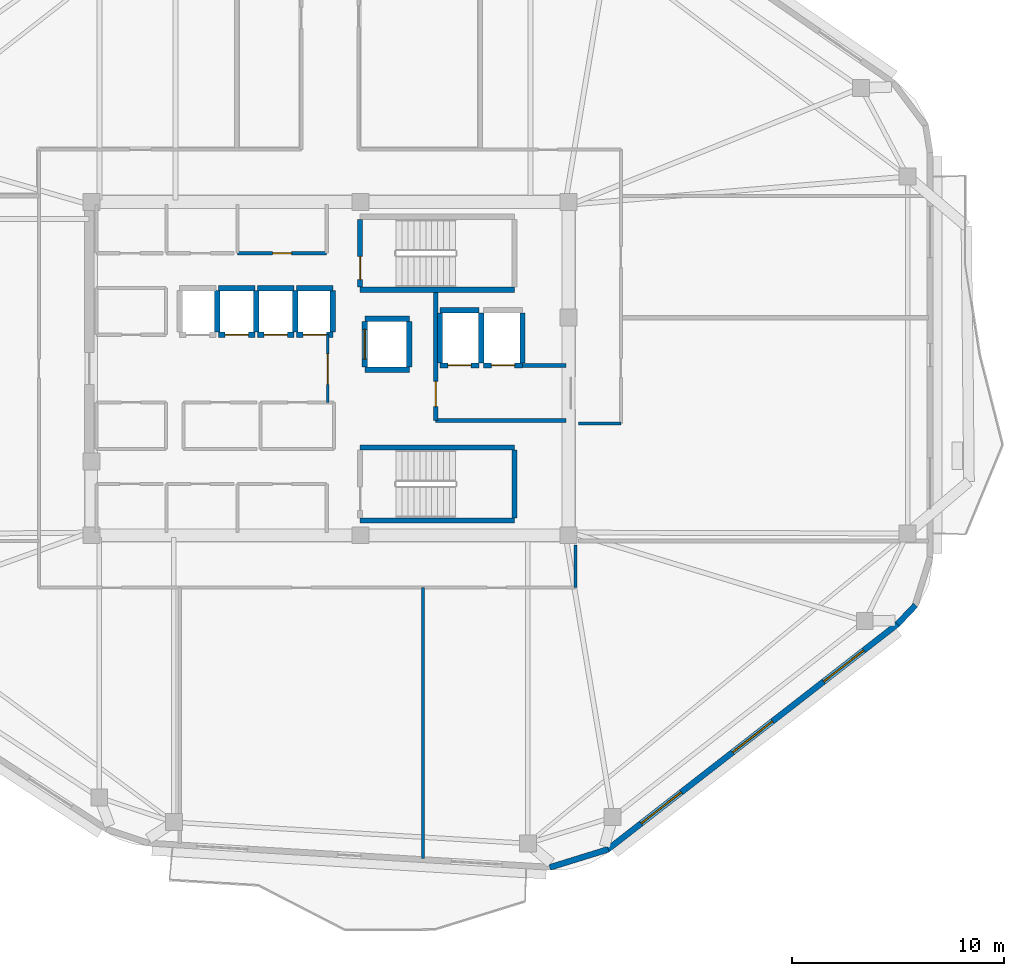
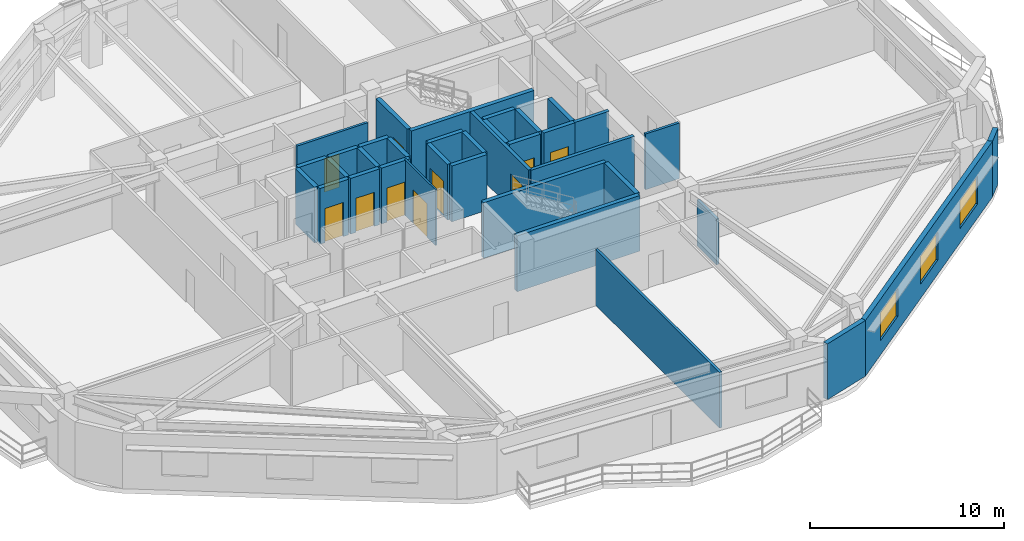
# One storey, part 7 of 12: 36 walls, 10 doors, 3 windows, 13 openings.
"""IFC4 building model written with IfcOpenShell, lengths in metres."""

import ifcopenshell
import ifcopenshell.guid

model = None  # the IFC model being written
_history = None  # IfcOwnerHistory: only IFC2X3 demands one
_inside = {}  # id of a spatial element -> (the spatial element, [elements in it])
_under = {}  # id of a project, library or spatial element -> (it, [spatial elements below it])
_declared = {}  # id of a project -> (the project, [libraries it declares])
_typed = {}  # id of a type object -> (the type object, [elements of that type])
_made_of = {}  # id of a material, layer set ... -> (it, [elements and type objects made of it])


def new_model(schema):
    """Start an empty IFC model of exactly this schema.

    Asked for "IFC4X3", IfcOpenShell would pick the latest addendum, in which some entities
    have other attributes; the version numbers below select the first issue.
    IFC2X3 requires an IfcOwnerHistory on every rooted entity: one is made here for all.
    """
    global model, _history
    if schema == "IFC4X3":
        model = ifcopenshell.file(schema_version=(4, 3, 0, 0))
    else:
        model = ifcopenshell.file(schema=schema)
    _inside.clear()
    _under.clear()
    _declared.clear()
    _typed.clear()
    _made_of.clear()
    _history = None
    if model.schema == "IFC2X3":
        org = make("IfcOrganization", Name="unknown")
        user = make(
            "IfcPersonAndOrganization",
            ThePerson=make("IfcPerson", FamilyName="unknown"),
            TheOrganization=org,
        )
        app = make(
            "IfcApplication",
            ApplicationDeveloper=org,
            Version="unknown",
            ApplicationFullName="unknown",
            ApplicationIdentifier="unknown",
        )
        _history = make(
            "IfcOwnerHistory",
            OwningUser=user,
            OwningApplication=app,
            ChangeAction="ADDED",
            CreationDate=0,
        )
    return model


def make(cls, **values):
    """One entity of the class cls with the attributes given. An attribute that is None is left unset."""
    return model.create_entity(
        cls, **{name: value for name, value in values.items() if value is not None}
    )


def rooted(cls, **values):
    """An entity with a GlobalId (a new one), such as an element, a storey or a relation."""
    return make(cls, GlobalId=ifcopenshell.guid.new(), OwnerHistory=_history, **values)


def si_unit(unit_type, name, prefix=None):
    """IfcSIUnit, for example si_unit("LENGTHUNIT", "METRE", prefix="MILLI")."""
    return make("IfcSIUnit", UnitType=unit_type, Prefix=prefix, Name=name)


def assignment(units):
    """IfcUnitAssignment: the units of a project."""
    return None if units is None else make("IfcUnitAssignment", Units=units)


def point(xyz):
    """IfcCartesianPoint."""
    return None if xyz is None else make("IfcCartesianPoint", Coordinates=xyz)


def direction(xyz):
    """IfcDirection."""
    return None if xyz is None else make("IfcDirection", DirectionRatios=xyz)


def frame(location, z_axis=None, x_axis=None):
    """IfcAxis2Placement3D, a coordinate frame: its origin and axes. An axis left out is left unset."""
    return make(
        "IfcAxis2Placement3D",
        Location=point(location),
        Axis=direction(z_axis),
        RefDirection=direction(x_axis),
    )


def frame_2d(location, x_axis=None):
    """IfcAxis2Placement2D, a coordinate frame in the plane: its origin and x axis."""
    return make(
        "IfcAxis2Placement2D", Location=point(location), RefDirection=direction(x_axis)
    )


def origin():
    """The frame at (0, 0, 0) with its axes left unset."""
    return frame((0.0, 0.0, 0.0))


def place(relative_to, where):
    """IfcLocalPlacement: puts the frame where relative to a parent placement (None: the world)."""
    return make(
        "IfcLocalPlacement", PlacementRelTo=relative_to, RelativePlacement=where
    )


def context(
    kind, dimensions, precision=None, world=None, true_north=None, identifier=None
):
    """IfcGeometricRepresentationContext, for example the 3D "Model" context."""
    return make(
        "IfcGeometricRepresentationContext",
        ContextIdentifier=identifier,
        ContextType=kind,
        CoordinateSpaceDimension=dimensions,
        Precision=precision,
        WorldCoordinateSystem=world,
        TrueNorth=true_north,
    )


def subcontext(parent, identifier, kind, view, scale=None):
    """IfcGeometricRepresentationSubContext, for example "Body" below "Model"."""
    return make(
        "IfcGeometricRepresentationSubContext",
        ContextIdentifier=identifier,
        ContextType=kind,
        ParentContext=parent,
        TargetScale=scale,
        TargetView=view,
    )


def project(units=None, contexts=None):
    """IfcProject with its units and contexts."""
    return rooted(
        "IfcProject",
        Name="project",
        RepresentationContexts=contexts,
        UnitsInContext=assignment(units),
    )


def spatial(cls, under=None, at=None, **own):
    """A site, building, storey or space (cls), placed at a placement, below another one or the project."""
    s = rooted(cls, ObjectPlacement=at, **own)
    if under is not None:
        _under.setdefault(under.id(), (under, []))[1].append(s)
    return s


def profile(cls, at=None, kind="AREA", **sizes):
    """A parametric profile (cls). Its sizes go by their IFC names, for example OverallWidth=200.0."""
    return make(cls, ProfileType=kind, Position=at, **sizes)


def rectangle(**sizes):
    """IfcRectangleProfileDef."""
    return profile("IfcRectangleProfileDef", **sizes)


def extrude(swept, where, along, depth):
    """IfcExtrudedAreaSolid: the profile swept, set in the frame where, extruded along a direction by depth."""
    return make(
        "IfcExtrudedAreaSolid",
        SweptArea=swept,
        Position=where,
        ExtrudedDirection=direction(along),
        Depth=depth,
    )


def shape(context_of_items, identifier, shape_type, items):
    """IfcShapeRepresentation: the items that make up one representation, for example the "Body"."""
    return make(
        "IfcShapeRepresentation",
        ContextOfItems=context_of_items,
        RepresentationIdentifier=identifier,
        RepresentationType=shape_type,
        Items=items,
    )


def material(Name=None, Category=None):
    """IfcMaterial."""
    return make("IfcMaterial", Name=Name, Category=Category)


def layer(
    of_material, thickness, ventilated=None, Name=None, Category=None, Priority=None
):
    """IfcMaterialLayer: one layer of a wall or slab, of a material (None: an air gap)."""
    return make(
        "IfcMaterialLayer",
        Material=of_material,
        LayerThickness=thickness,
        IsVentilated=ventilated,
        Name=Name,
        Category=Category,
        Priority=Priority,
    )


def layer_set(layers, Name=None):
    """IfcMaterialLayerSet."""
    return make("IfcMaterialLayerSet", MaterialLayers=layers, LayerSetName=Name)


def made_of(thing, what):
    """Note that an element or type object is made of a material, layer set ...; save() writes the relation."""
    if what is not None:
        _made_of.setdefault(what.id(), (what, []))[1].append(thing)
    return thing


def type_object(cls, material=None, **own):
    """A type object (cls), such as IfcWallType, which elements share."""
    return made_of(rooted(cls, **own), material)


def element(
    cls,
    number,
    at=None,
    inside=None,
    cuts=None,
    type_object=None,
    material=None,
    context=None,
    identifier="Body",
    shape_type=None,
    held_by="IfcProductDefinitionShape",
    body=None,
    shapes=None,
    **own,
):
    """One element of the class cls, such as IfcWall. Its Tag is "e" and its number.

    at: its placement. inside: the storey or other place that contains it. cuts: it is an
    opening in that element (IfcRelVoidsElement). A single representation is given by context,
    identifier, shape_type and body (its items); several are given by shapes. held_by: the class
    of the entity that holds the representations. save() writes the other relations.
    """
    e = rooted(cls, Tag="e%d" % number, ObjectPlacement=at, **own)
    if body is not None:
        shapes = [shape(context, identifier, shape_type, body)]
    if shapes is not None:
        e.Representation = make(held_by, Representations=shapes)
    if inside is not None:
        _inside.setdefault(inside.id(), (inside, []))[1].append(e)
    if cuts is not None:
        rooted(
            "IfcRelVoidsElement", RelatingBuildingElement=cuts, RelatedOpeningElement=e
        )
    if type_object is not None:
        _typed.setdefault(type_object.id(), (type_object, []))[1].append(e)
    return made_of(e, material)


def fill(opening, filler):
    """IfcRelFillsElement: the door or window that sits in an opening."""
    return rooted(
        "IfcRelFillsElement",
        RelatingOpeningElement=opening,
        RelatedBuildingElement=filler,
    )


def aggregate(whole, parts):
    """IfcRelAggregates: a whole, such as a stair, and the parts it consists of."""
    return rooted("IfcRelAggregates", RelatingObject=whole, RelatedObjects=parts)


def save(model, path):
    """Write the relations noted so far, then the file.

    IfcRelAggregates (storeys below a building ...), IfcRelContainedInSpatialStructure (elements
    in a storey), IfcRelDefinesByType, IfcRelAssociatesMaterial and IfcRelDeclares: one each for
    every whole, place, type object, material and project.
    """
    for whole, parts in _under.values():
        aggregate(whole, parts)
    for where, things in _inside.values():
        rooted(
            "IfcRelContainedInSpatialStructure",
            RelatedElements=things,
            RelatingStructure=where,
        )
    for kind, things in _typed.values():
        rooted("IfcRelDefinesByType", RelatedObjects=things, RelatingType=kind)
    for what, things in _made_of.values():
        rooted("IfcRelAssociatesMaterial", RelatedObjects=things, RelatingMaterial=what)
    for by, libraries in _declared.values():
        rooted("IfcRelDeclares", RelatingContext=by, RelatedDefinitions=libraries)
    model.write(path)


model = new_model("IFC4")

# Units and contexts
model_context = context("Model", 3, precision=1e-05, world=origin(), true_north=direction((0.0, 1.0)))
body_context = subcontext(model_context, "Body", "Model", "MODEL_VIEW")
ifc_project = project(units=[si_unit("LENGTHUNIT", "METRE"), si_unit("AREAUNIT", "SQUARE_METRE"), si_unit("VOLUMEUNIT", "CUBIC_METRE"), si_unit("PLANEANGLEUNIT", "RADIAN"), si_unit("MASSUNIT", "GRAM", prefix="KILO")], contexts=[model_context])

# Site, building, storey
site_placement = place(None, origin())
site = spatial("IfcSite", under=ifc_project, at=site_placement, CompositionType="ELEMENT")
building_placement = place(site_placement, origin())
building = spatial("IfcBuilding", under=site, at=building_placement, Name="Zulverin Broadcast Headquarters", CompositionType="ELEMENT")
storey_placement = place(building_placement, frame((0.0, 0.0, 240.199951171875)))
storey = spatial("IfcBuildingStorey", under=building, at=storey_placement, Name="L61", CompositionType="ELEMENT", Elevation=240.199951171875)

# Wall, openings, windows
ifc_material_1 = material(Name="Insulated pale-metal clad concrete spandrel C40/50", Category="concrete")
ifc_layer_1 = layer(ifc_material_1, 0.280029296875, Name="Insulated pale-metal clad concrete spandrel C40/50", Category="concrete")
ifc_layer_set_1 = layer_set([ifc_layer_1], Name="Insulated pale-metal clad concrete spandrel C40/50")
wall_type_1 = type_object("IfcWallType", Name="WL-EXT-280", PredefinedType="STANDARD", material=ifc_layer_set_1)
wall_1_placement = place(storey_placement, frame((50.10400390625, 2.458984375, 0.0), z_axis=(0.0, 0.0, 1.0), x_axis=(0.789464857485, 0.613795763097, 0.0)))
wall_1 = element("IfcWall", 1, at=wall_1_placement, inside=storey, type_object=wall_type_1, Name="L61 Pale-Metal Clad Spandrel Wall 2", PredefinedType="STANDARD", context=body_context, shape_type="SweptSolid", body=[
    extrude(rectangle(XDim=17.387451171875, YDim=0.280029296875, at=frame_2d((8.69384765625, 0.0))), origin(), (0.0, 0.0, 1.0), 3.510009765625),
])
opening_1_placement = place(wall_1_placement, frame((2.03125, 0.0, 0.89990234375)))
opening_1 = element("IfcOpeningElement", 2, at=opening_1_placement, cuts=wall_1, Name="Opening W-L61-E21", PredefinedType="OPENING", context=body_context, shape_type="SweptSolid", body=[
    extrude(rectangle(XDim=2.39990234375, YDim=1.75, at=frame_2d((1.199951171875, 0.875))), frame((0.0, 0.14990234375, 0.0), z_axis=(0.0, -1.0, 0.0), x_axis=(1.0, 0.0, 0.0)), (0.0, 0.0, 1.0), 0.300048828125),
])
opening_2_placement = place(wall_1_placement, frame((7.49365234375, 0.0, 0.89990234375)))
opening_2 = element("IfcOpeningElement", 3, at=opening_2_placement, cuts=wall_1, Name="Opening W-L61-E22", PredefinedType="OPENING", context=body_context, shape_type="SweptSolid", body=[
    extrude(rectangle(XDim=2.39990234375, YDim=1.75, at=frame_2d((1.199951171875, 0.875))), frame((0.0, 0.14990234375, 0.0), z_axis=(0.0, -1.0, 0.0), x_axis=(1.0, 0.0, 0.0)), (0.0, 0.0, 1.0), 0.300048828125),
])
opening_3_placement = place(wall_1_placement, frame((12.956298828125, 0.0, 0.89990234375)))
opening_3 = element("IfcOpeningElement", 4, at=opening_3_placement, cuts=wall_1, Name="Opening W-L61-E23", PredefinedType="OPENING", context=body_context, shape_type="SweptSolid", body=[
    extrude(rectangle(XDim=2.39990234375, YDim=1.75, at=frame_2d((1.199951171875, 0.875))), frame((0.0, 0.14990234375, 0.0), z_axis=(0.0, -1.0, 0.0), x_axis=(1.0, 0.0, 0.0)), (0.0, 0.0, 1.0), 0.300048828125),
])
ifc_material_2 = material(Name="Pale anodized aluminium frame with solar-control low-E double glazing", Category="aluminium")
window_type = type_object("IfcWindowType", Name="WIN-RIB-2400", PartitioningType="SINGLE_PANEL", PredefinedType="WINDOW", material=ifc_material_2)
window_1_placement = place(opening_1_placement, origin())
window_1 = element("IfcWindow", 5, at=window_1_placement, inside=storey, type_object=window_type, Name="L61 Ribbon Glazing Window 2 1", OverallHeight=1.75, OverallWidth=2.39990234375, PartitioningType="SINGLE_PANEL", PredefinedType="WINDOW", context=body_context, shape_type="SweptSolid", body=[
    extrude(rectangle(XDim=2.39990234375, YDim=1.75, at=frame_2d((1.199951171875, 0.875))), frame((0.0, 0.030029296875, 0.0), z_axis=(0.0, -1.0, 0.0), x_axis=(1.0, 0.0, 0.0)), (0.0, 0.0, 1.0), 0.06005859375),
])
fill(opening_1, window_1)
window_2_placement = place(opening_2_placement, origin())
window_2 = element("IfcWindow", 6, at=window_2_placement, inside=storey, type_object=window_type, Name="L61 Ribbon Glazing Window 2 2", OverallHeight=1.75, OverallWidth=2.39990234375, PartitioningType="SINGLE_PANEL", PredefinedType="WINDOW", context=body_context, shape_type="SweptSolid", body=[
    extrude(rectangle(XDim=2.39990234375, YDim=1.75, at=frame_2d((1.199951171875, 0.875))), frame((0.0, 0.030029296875, 0.0), z_axis=(0.0, -1.0, 0.0), x_axis=(1.0, 0.0, 0.0)), (0.0, 0.0, 1.0), 0.06005859375),
])
fill(opening_2, window_2)
window_3_placement = place(opening_3_placement, origin())
window_3 = element("IfcWindow", 7, at=window_3_placement, inside=storey, type_object=window_type, Name="L61 Ribbon Glazing Window 2 3", OverallHeight=1.75, OverallWidth=2.39990234375, PartitioningType="SINGLE_PANEL", PredefinedType="WINDOW", context=body_context, shape_type="SweptSolid", body=[
    extrude(rectangle(XDim=2.39990234375, YDim=1.75, at=frame_2d((1.199951171875, 0.875))), frame((0.0, 0.030029296875, 0.0), z_axis=(0.0, -1.0, 0.0), x_axis=(1.0, 0.0, 0.0)), (0.0, 0.0, 1.0), 0.06005859375),
])
fill(opening_3, window_3)

# Walls
wall_2_placement = place(storey_placement, frame((47.38623046875, 1.626220703125, 0.0), z_axis=(0.0, 0.0, 1.0), x_axis=(0.955189316149, 0.29599555793, 0.0)))
element("IfcWall", 8, at=wall_2_placement, inside=storey, type_object=wall_type_1, Name="L61 Wind-Shaped Corner Spandrel Wall 1-1", PredefinedType="STANDARD", context=body_context, shape_type="SweptSolid", body=[
    extrude(rectangle(XDim=2.891845703125, YDim=0.280029296875, at=frame_2d((1.44580078125, 0.0))), origin(), (0.0, 0.0, 1.0), 3.510009765625),
])
wall_3_placement = place(storey_placement, frame((63.81494140625, 13.1171875, 0.0), z_axis=(0.0, 0.0, 1.0), x_axis=(0.687733716128, 0.725963040176, 0.0)))
element("IfcWall", 9, at=wall_3_placement, inside=storey, type_object=wall_type_1, Name="L61 Wind-Shaped Corner Spandrel Wall 2-1", PredefinedType="STANDARD", context=body_context, shape_type="SweptSolid", body=[
    extrude(rectangle(XDim=1.239013671875, YDim=0.280029296875, at=frame_2d((0.61962890625, 0.0))), origin(), (0.0, 0.0, 1.0), 3.510009765625),
])

# Wall, opening, door
ifc_material_3 = material(Name="Concrete C40/50", Category="concrete")
ifc_layer_2 = layer(ifc_material_3, 0.199951171875, Name="Concrete C40/50", Category="concrete")
ifc_layer_set_2 = layer_set([ifc_layer_2], Name="Concrete C40/50")
wall_type_2 = type_object("IfcWallType", Name="WL-FFL-200", PredefinedType="SOLIDWALL", material=ifc_layer_set_2)
wall_4_placement = place(storey_placement, frame((42.0, 22.75, 0.0), z_axis=(0.0, 0.0, 1.0), x_axis=(0.0, 1.0, 0.0)))
wall_4 = element("IfcWall", 10, at=wall_4_placement, inside=storey, type_object=wall_type_2, Name="L61 Firefighting Lift Lobby West Wall", PredefinedType="SOLIDWALL", context=body_context, shape_type="SweptSolid", body=[
    extrude(rectangle(XDim=6.050048828125, YDim=0.199951171875, at=frame_2d((3.02490234375, 0.0))), origin(), (0.0, 0.0, 1.0), 3.510009765625),
])
opening_4_placement = place(wall_4_placement, frame((0.64990234375, 0.0, 0.0)))
opening_4 = element("IfcOpeningElement", 11, at=opening_4_placement, cuts=wall_4, Name="Opening D-L61-FFLW", PredefinedType="OPENING", context=body_context, shape_type="SweptSolid", body=[
    extrude(rectangle(XDim=1.199951171875, YDim=2.14990234375, at=frame_2d((0.60009765625, 1.074951171875))), frame((0.0, 0.10986328125, 0.0), z_axis=(0.0, -1.0, 0.0), x_axis=(1.0, 0.0, 0.0)), (0.0, 0.0, 1.0), 0.219970703125),
])
ifc_material_4 = material(Name="Fire-rated steel leaf and frame", Category="steel")
door_type_1 = type_object("IfcDoorType", Name="DR-FFL-1200", OperationType="SINGLE_SWING_RIGHT", PredefinedType="DOOR", material=ifc_material_4)
door_1_placement = place(opening_4_placement, origin())
door_1 = element("IfcDoor", 12, at=door_1_placement, inside=storey, type_object=door_type_1, Name="L61 Firefighting Lift Lobby Door", OperationType="SINGLE_SWING_RIGHT", OverallHeight=2.14990234375, OverallWidth=1.199951171875, PredefinedType="DOOR", context=body_context, shape_type="SweptSolid", body=[
    extrude(rectangle(XDim=1.199951171875, YDim=2.14990234375, at=frame_2d((0.60009765625, 1.074951171875))), frame((0.0, 0.02490234375, 0.0), z_axis=(0.0, -1.0, 0.0), x_axis=(1.0, 0.0, 0.0)), (0.0, 0.0, 1.0), 0.050048828125),
])
fill(opening_4, door_1)

# Walls
wall_5_placement = place(storey_placement, frame((42.0, 22.75, 0.0), z_axis=(0.0, 0.0, 1.0), x_axis=(1.0, 0.0, 0.0)))
element("IfcWall", 13, at=wall_5_placement, inside=storey, type_object=wall_type_2, Name="L61 Firefighting Lift Lobby South Wall", PredefinedType="SOLIDWALL", context=body_context, shape_type="SweptSolid", body=[
    extrude(rectangle(XDim=6.14990234375, YDim=0.199951171875, at=frame_2d((3.074951171875, 0.0))), origin(), (0.0, 0.0, 1.0), 3.510009765625),
])
wall_6_placement = place(storey_placement, frame((46.10009765625, 25.35009765625, 0.0), z_axis=(0.0, 0.0, 1.0), x_axis=(1.0, 0.0, 0.0)))
element("IfcWall", 14, at=wall_6_placement, inside=storey, type_object=wall_type_2, Name="L61 Firefighting Lift Lobby North Wall", PredefinedType="SOLIDWALL", context=body_context, shape_type="SweptSolid", body=[
    extrude(rectangle(XDim=2.0498046875, YDim=0.199951171875, at=frame_2d((1.02490234375, 0.0))), origin(), (0.0, 0.0, 1.0), 3.510009765625),
])

# Wall, opening, door
ifc_material_5 = material(Name="Fire-rated acoustic laminated glass screen", Category="glass")
ifc_layer_3 = layer(ifc_material_5, 0.10009765625, Name="Fire-rated acoustic laminated glass screen", Category="glass")
ifc_layer_set_3 = layer_set([ifc_layer_3], Name="Fire-rated acoustic laminated glass screen")
wall_type_3 = type_object("IfcWallType", Name="WL-GLAZ-100", PredefinedType="PARTITIONING", material=ifc_layer_set_3)
wall_7_placement = place(storey_placement, frame((36.89990234375, 23.60009765625, 0.0), z_axis=(0.0, 0.0, 1.0), x_axis=(0.0, 1.0, 0.0)))
wall_7 = element("IfcWall", 15, at=wall_7_placement, inside=storey, type_object=wall_type_3, Name="L61 Core Goods & Stair Hall Screen", PredefinedType="PARTITIONING", context=body_context, shape_type="SweptSolid", body=[
    extrude(rectangle(XDim=3.199951171875, YDim=0.10009765625, at=frame_2d((1.60009765625, 0.0))), origin(), (0.0, 0.0, 1.0), 3.510009765625),
])
opening_5_placement = place(wall_7_placement, frame((0.85009765625, 0.0, 0.0)))
opening_5 = element("IfcOpeningElement", 16, at=opening_5_placement, cuts=wall_7, Name="Opening D-L61-CL3", PredefinedType="OPENING", context=body_context, shape_type="SweptSolid", body=[
    extrude(rectangle(XDim=1.449951171875, YDim=2.1201171875, at=frame_2d((0.72509765625, 1.06005859375))), frame((0.0, 0.06005859375, 0.0), z_axis=(0.0, -1.0, 0.0), x_axis=(1.0, 0.0, 0.0)), (0.0, 0.0, 1.0), 0.1201171875),
])
ifc_material_6 = material(Name="Fire-rated acoustic glazed double leaf", Category="glass")
door_type_2 = type_object("IfcDoorType", Name="DR-GLZ-1450", OperationType="DOUBLE_DOOR_SINGLE_SWING", PredefinedType="DOOR", material=ifc_material_6)
door_2_placement = place(opening_5_placement, origin())
door_2 = element("IfcDoor", 17, at=door_2_placement, inside=storey, type_object=door_type_2, Name="L61 Core Goods & Stair Hall Door", OperationType="DOUBLE_DOOR_SINGLE_SWING", OverallHeight=2.1201171875, OverallWidth=1.449951171875, PredefinedType="DOOR", context=body_context, shape_type="SweptSolid", body=[
    extrude(rectangle(XDim=1.449951171875, YDim=2.1201171875, at=frame_2d((0.72509765625, 1.06005859375))), frame((0.0, 0.02490234375, 0.0), z_axis=(0.0, -1.0, 0.0), x_axis=(1.0, 0.0, 0.0)), (0.0, 0.0, 1.0), 0.050048828125),
])
fill(opening_5, door_2)

ifc_material_7 = material(Name="Fire-rated gypsum stud partition", Category="gypsum")
ifc_layer_4 = layer(ifc_material_7, 0.14990234375, Name="Fire-rated gypsum stud partition", Category="gypsum")
ifc_layer_set_4 = layer_set([ifc_layer_4], Name="Fire-rated gypsum stud partition")
wall_type_4 = type_object("IfcWallType", Name="WL-PART-150", PredefinedType="PARTITIONING", material=ifc_layer_set_4)
wall_8_placement = place(storey_placement, frame((32.6298828125, 30.64990234375, 0.0), z_axis=(0.0, 0.0, 1.0), x_axis=(1.0, 0.0, 0.0)))
wall_8 = element("IfcWall", 18, at=wall_8_placement, inside=storey, type_object=wall_type_4, Name="L61 Core Electrical Distribution Riser Front Wall", PredefinedType="PARTITIONING", context=body_context, shape_type="SweptSolid", body=[
    extrude(rectangle(XDim=4.22021484375, YDim=0.14990234375, at=frame_2d((2.110107421875, 0.0))), origin(), (0.0, 0.0, 1.0), 3.510009765625),
])
opening_6_placement = place(wall_8_placement, frame((1.659912109375, 0.0, 0.0)))
opening_6 = element("IfcOpeningElement", 19, at=opening_6_placement, cuts=wall_8, Name="Opening D-L61-NC3", PredefinedType="OPENING", context=body_context, shape_type="SweptSolid", body=[
    extrude(rectangle(XDim=0.89990234375, YDim=2.10009765625, at=frame_2d((0.449951171875, 1.050048828125))), frame((0.0, 0.0849609375, 0.0), z_axis=(0.0, -1.0, 0.0), x_axis=(1.0, 0.0, 0.0)), (0.0, 0.0, 1.0), 0.169921875),
])
ifc_material_8 = material(Name="Powder-coated steel access leaf", Category="steel")
door_type_3 = type_object("IfcDoorType", Name="DR-RISER-900", OperationType="SINGLE_SWING_LEFT", PredefinedType="DOOR", material=ifc_material_8)
door_3_placement = place(opening_6_placement, origin())
door_3 = element("IfcDoor", 20, at=door_3_placement, inside=storey, type_object=door_type_3, Name="L61 Electrical Distribution Riser Door", OperationType="SINGLE_SWING_LEFT", OverallHeight=2.10009765625, OverallWidth=0.89990234375, PredefinedType="DOOR", context=body_context, shape_type="SweptSolid", body=[
    extrude(rectangle(XDim=0.89990234375, YDim=2.10009765625, at=frame_2d((0.449951171875, 1.050048828125))), frame((0.0, 0.02490234375, 0.0), z_axis=(0.0, -1.0, 0.0), x_axis=(1.0, 0.0, 0.0)), (0.0, 0.0, 1.0), 0.050048828125),
])
fill(opening_6, door_3)

# Walls
wall_9_placement = place(storey_placement, frame((48.60009765625, 14.85009765625, 0.0), z_axis=(0.0, 0.0, 1.0), x_axis=(0.0, 1.0, 0.0)))
element("IfcWall", 21, at=wall_9_placement, inside=storey, type_object=wall_type_4, Name="L61 Gallery Partition Wall CG-02", PredefinedType="PARTITIONING", context=body_context, shape_type="SweptSolid", body=[
    extrude(rectangle(XDim=2.010009765625, YDim=0.14990234375, at=frame_2d((1.0048828125, 0.0))), origin(), (0.0, 0.0, 1.0), 2.892822265625),
])
wall_10_placement = place(storey_placement, frame((41.39990234375, 2.0595703125, 0.0), z_axis=(0.0, 0.0, 1.0), x_axis=(0.0, 1.0, 0.0)))
element("IfcWall", 22, at=wall_10_placement, inside=storey, type_object=wall_type_4, Name="L61 Room Partition Wall RP-04", PredefinedType="PARTITIONING", context=body_context, shape_type="SweptSolid", body=[
    extrude(rectangle(XDim=12.79052734375, YDim=0.14990234375, at=frame_2d((6.395263671875, 0.0))), origin(), (0.0, 0.0, 1.0), 3.510009765625),
])
wall_11_placement = place(storey_placement, frame((48.739990234375, 22.60009765625, 0.0), z_axis=(0.0, 0.0, 1.0), x_axis=(1.0, 0.0, 0.0)))
element("IfcWall", 23, at=wall_11_placement, inside=storey, type_object=wall_type_4, Name="L61 Gallery Partition Wall CG-13", PredefinedType="PARTITIONING", context=body_context, shape_type="SweptSolid", body=[
    extrude(rectangle(XDim=2.010009765625, YDim=0.14990234375, at=frame_2d((1.0048828125, 0.0))), origin(), (0.0, 0.0, 1.0), 3.510009765625),
])
ifc_material_9 = material(Name="Concrete C50/60", Category="concrete")
ifc_layer_5 = layer(ifc_material_9, 0.25, Name="Concrete C50/60", Category="concrete")
ifc_layer_set_5 = layer_set([ifc_layer_5], Name="Concrete C50/60")
wall_type_5 = type_object("IfcWallType", Name="WL-SHAFT-250", PredefinedType="SHEAR", material=ifc_layer_set_5)
wall_12_placement = place(storey_placement, frame((38.425048828125, 28.925048828125, 0.0), z_axis=(0.0, 0.0, 1.0), x_axis=(1.0, 0.0, 0.0)))
element("IfcWall", 24, at=wall_12_placement, inside=storey, type_object=wall_type_5, Name="L61 ST-1 Enclosure Wall S", PredefinedType="SHEAR", context=body_context, shape_type="SweptSolid", body=[
    extrude(rectangle(XDim=7.300048828125, YDim=0.25, at=frame_2d((3.64990234375, 0.0))), origin(), (0.0, 0.0, 1.0), 3.510009765625),
])

# Wall, opening, door
wall_13_placement = place(storey_placement, frame((38.425048828125, 29.050048828125, 0.0), z_axis=(0.0, 0.0, 1.0), x_axis=(0.0, 1.0, 0.0)))
wall_13 = element("IfcWall", 25, at=wall_13_placement, inside=storey, type_object=wall_type_5, Name="L61 ST-1 Enclosure Wall W", PredefinedType="SHEAR", context=body_context, shape_type="SweptSolid", body=[
    extrude(rectangle(XDim=3.199951171875, YDim=0.25, at=frame_2d((1.60009765625, 0.0))), origin(), (0.0, 0.0, 1.0), 3.510009765625),
])
opening_7_placement = place(wall_13_placement, frame((0.35009765625, 0.0, 0.0)))
opening_7 = element("IfcOpeningElement", 26, at=opening_7_placement, cuts=wall_13, Name="Opening D-L61-ST-1", PredefinedType="OPENING", context=body_context, shape_type="SweptSolid", body=[
    extrude(rectangle(XDim=1.10009765625, YDim=2.14990234375, at=frame_2d((0.550048828125, 1.074951171875))), frame((0.0, 0.135009765625, 0.0), z_axis=(0.0, -1.0, 0.0), x_axis=(1.0, 0.0, 0.0)), (0.0, 0.0, 1.0), 0.27001953125),
])
door_type_4 = type_object("IfcDoorType", Name="DR-STAIR-1100", OperationType="SINGLE_SWING_LEFT", PredefinedType="DOOR", material=ifc_material_4)
door_4_placement = place(opening_7_placement, origin())
door_4 = element("IfcDoor", 27, at=door_4_placement, inside=storey, type_object=door_type_4, Name="L61 Exit Stair ST-1 Fire Door", OperationType="SINGLE_SWING_LEFT", OverallHeight=2.14990234375, OverallWidth=1.10009765625, PredefinedType="DOOR", context=body_context, shape_type="SweptSolid", body=[
    extrude(rectangle(XDim=1.10009765625, YDim=2.14990234375, at=frame_2d((0.550048828125, 1.074951171875))), frame((0.0, 0.02490234375, 0.0), z_axis=(0.0, -1.0, 0.0), x_axis=(1.0, 0.0, 0.0)), (0.0, 0.0, 1.0), 0.050048828125),
])
fill(opening_7, door_4)

# Walls
for number, where, z_axis, x_axis, name in (
    (28, (38.425048828125, 18.02490234375, 0.0), (0.0, 0.0, 1.0), (1.0, 0.0, 0.0), "L61 ST-2 Enclosure Wall S"),
    (29, (38.425048828125, 21.47509765625, 0.0), (0.0, 0.0, 1.0), (1.0, 0.0, 0.0), "L61 ST-2 Enclosure Wall N"),
):
    element("IfcWall", number, at=place(storey_placement, frame(where, z_axis=z_axis, x_axis=x_axis)), inside=storey, type_object=wall_type_5, Name=name, PredefinedType="SHEAR", context=body_context, shape_type="SweptSolid", body=[
        extrude(rectangle(XDim=7.300048828125, YDim=0.25, at=frame_2d((3.64990234375, 0.0))), origin(), (0.0, 0.0, 1.0), 3.510009765625),
    ])
wall_14_placement = place(storey_placement, frame((45.72509765625, 18.14990234375, 0.0), z_axis=(0.0, 0.0, 1.0), x_axis=(0.0, 1.0, 0.0)))
element("IfcWall", 30, at=wall_14_placement, inside=storey, type_object=wall_type_5, Name="L61 ST-2 Enclosure Wall E", PredefinedType="SHEAR", context=body_context, shape_type="SweptSolid", body=[
    extrude(rectangle(XDim=3.2001953125, YDim=0.25, at=frame_2d((1.60009765625, 0.0))), origin(), (0.0, 0.0, 1.0), 3.510009765625),
])
wall_15_placement = place(storey_placement, frame((31.679931640625, 26.919921875, 0.0), z_axis=(0.0, 0.0, 1.0), x_axis=(0.0, 1.0, 0.0)))
element("IfcWall", 31, at=wall_15_placement, inside=storey, type_object=wall_type_5, Name="L61 Lift PL-H1 Shaft Wall E", PredefinedType="SHEAR", context=body_context, shape_type="SweptSolid", body=[
    extrude(rectangle(XDim=1.9599609375, YDim=0.25, at=frame_2d((0.97998046875, 0.0))), origin(), (0.0, 0.0, 1.0), 3.510009765625),
])

# Wall, opening, door
wall_16_placement = place(storey_placement, frame((31.739990234375, 26.800048828125, 0.0), z_axis=(0.0, 0.0, 1.0), x_axis=(1.0, 0.0, 0.0)))
wall_16 = element("IfcWall", 32, at=wall_16_placement, inside=storey, type_object=wall_type_5, Name="L61 Lift PL-H2 Shaft Wall S", PredefinedType="SHEAR", context=body_context, shape_type="SweptSolid", body=[
    extrude(rectangle(XDim=1.719970703125, YDim=0.25, at=frame_2d((0.85986328125, 0.0))), origin(), (0.0, 0.0, 1.0), 3.510009765625),
])
opening_8_placement = place(wall_16_placement, frame((0.31005859375, 0.0, 0.0)))
opening_8 = element("IfcOpeningElement", 33, at=opening_8_placement, cuts=wall_16, Name="Opening LD-PL-H2-L61", PredefinedType="OPENING", context=body_context, shape_type="SweptSolid", body=[
    extrude(rectangle(XDim=1.10009765625, YDim=2.14990234375, at=frame_2d((0.550048828125, 1.074951171875))), frame((0.0, 0.135009765625, 0.0), z_axis=(0.0, -1.0, 0.0), x_axis=(1.0, 0.0, 0.0)), (0.0, 0.0, 1.0), 0.27001953125),
])
ifc_material_10 = material(Name="Brushed stainless steel landing", Category="steel")
door_type_5 = type_object("IfcDoorType", Name="LD-PASS-1100", OperationType="DOUBLE_DOOR_SLIDING", PredefinedType="DOOR", material=ifc_material_10)
door_5_placement = place(opening_8_placement, origin())
door_5 = element("IfcDoor", 34, at=door_5_placement, inside=storey, type_object=door_type_5, Name="L61 Lift PL-H2 Sliding Landing Door", OperationType="DOUBLE_DOOR_SLIDING", OverallHeight=2.14990234375, OverallWidth=1.10009765625, PredefinedType="DOOR", context=body_context, shape_type="SweptSolid", body=[
    extrude(rectangle(XDim=1.10009765625, YDim=2.14990234375, at=frame_2d((0.550048828125, 1.074951171875))), frame((0.0, 0.02490234375, 0.0), z_axis=(0.0, -1.0, 0.0), x_axis=(1.0, 0.0, 0.0)), (0.0, 0.0, 1.0), 0.050048828125),
])
fill(opening_8, door_5)

# Walls
wall_17_placement = place(storey_placement, frame((31.739990234375, 29.0, 0.0), z_axis=(0.0, 0.0, 1.0), x_axis=(1.0, 0.0, 0.0)))
element("IfcWall", 35, at=wall_17_placement, inside=storey, type_object=wall_type_5, Name="L61 Lift PL-H2 Shaft Wall N", PredefinedType="SHEAR", context=body_context, shape_type="SweptSolid", body=[
    extrude(rectangle(XDim=1.719970703125, YDim=0.25, at=frame_2d((0.85986328125, 0.0))), origin(), (0.0, 0.0, 1.0), 3.510009765625),
])
wall_18_placement = place(storey_placement, frame((33.52001953125, 26.919921875, 0.0), z_axis=(0.0, 0.0, 1.0), x_axis=(0.0, 1.0, 0.0)))
element("IfcWall", 36, at=wall_18_placement, inside=storey, type_object=wall_type_5, Name="L61 Lift PL-H2 Shaft Wall E", PredefinedType="SHEAR", context=body_context, shape_type="SweptSolid", body=[
    extrude(rectangle(XDim=1.9599609375, YDim=0.25, at=frame_2d((0.97998046875, 0.0))), origin(), (0.0, 0.0, 1.0), 3.510009765625),
])

# Wall, opening, door
wall_19_placement = place(storey_placement, frame((33.580078125, 26.800048828125, 0.0), z_axis=(0.0, 0.0, 1.0), x_axis=(1.0, 0.0, 0.0)))
wall_19 = element("IfcWall", 37, at=wall_19_placement, inside=storey, type_object=wall_type_5, Name="L61 Lift PL-H3 Shaft Wall S", PredefinedType="SHEAR", context=body_context, shape_type="SweptSolid", body=[
    extrude(rectangle(XDim=1.719970703125, YDim=0.25, at=frame_2d((0.85986328125, 0.0))), origin(), (0.0, 0.0, 1.0), 3.510009765625),
])
opening_9_placement = place(wall_19_placement, frame((0.31005859375, 0.0, 0.0)))
opening_9 = element("IfcOpeningElement", 38, at=opening_9_placement, cuts=wall_19, Name="Opening LD-PL-H3-L61", PredefinedType="OPENING", context=body_context, shape_type="SweptSolid", body=[
    extrude(rectangle(XDim=1.10009765625, YDim=2.14990234375, at=frame_2d((0.550048828125, 1.074951171875))), frame((0.0, 0.135009765625, 0.0), z_axis=(0.0, -1.0, 0.0), x_axis=(1.0, 0.0, 0.0)), (0.0, 0.0, 1.0), 0.27001953125),
])
door_6_placement = place(opening_9_placement, origin())
door_6 = element("IfcDoor", 39, at=door_6_placement, inside=storey, type_object=door_type_5, Name="L61 Lift PL-H3 Sliding Landing Door", OperationType="DOUBLE_DOOR_SLIDING", OverallHeight=2.14990234375, OverallWidth=1.10009765625, PredefinedType="DOOR", context=body_context, shape_type="SweptSolid", body=[
    extrude(rectangle(XDim=1.10009765625, YDim=2.14990234375, at=frame_2d((0.550048828125, 1.074951171875))), frame((0.0, 0.02490234375, 0.0), z_axis=(0.0, -1.0, 0.0), x_axis=(1.0, 0.0, 0.0)), (0.0, 0.0, 1.0), 0.050048828125),
])
fill(opening_9, door_6)

# Walls
wall_20_placement = place(storey_placement, frame((33.580078125, 29.0, 0.0), z_axis=(0.0, 0.0, 1.0), x_axis=(1.0, 0.0, 0.0)))
element("IfcWall", 40, at=wall_20_placement, inside=storey, type_object=wall_type_5, Name="L61 Lift PL-H3 Shaft Wall N", PredefinedType="SHEAR", context=body_context, shape_type="SweptSolid", body=[
    extrude(rectangle(XDim=1.719970703125, YDim=0.25, at=frame_2d((0.85986328125, 0.0))), origin(), (0.0, 0.0, 1.0), 3.510009765625),
])
wall_21_placement = place(storey_placement, frame((35.360107421875, 26.919921875, 0.0), z_axis=(0.0, 0.0, 1.0), x_axis=(0.0, 1.0, 0.0)))
element("IfcWall", 41, at=wall_21_placement, inside=storey, type_object=wall_type_5, Name="L61 Lift PL-H3 Shaft Wall E", PredefinedType="SHEAR", context=body_context, shape_type="SweptSolid", body=[
    extrude(rectangle(XDim=1.9599609375, YDim=0.25, at=frame_2d((0.97998046875, 0.0))), origin(), (0.0, 0.0, 1.0), 3.510009765625),
])

# Wall, opening, door
wall_22_placement = place(storey_placement, frame((35.419921875, 26.800048828125, 0.0), z_axis=(0.0, 0.0, 1.0), x_axis=(1.0, 0.0, 0.0)))
wall_22 = element("IfcWall", 42, at=wall_22_placement, inside=storey, type_object=wall_type_5, Name="L61 Lift PL-H4 Shaft Wall S", PredefinedType="SHEAR", context=body_context, shape_type="SweptSolid", body=[
    extrude(rectangle(XDim=1.719970703125, YDim=0.25, at=frame_2d((0.85986328125, 0.0))), origin(), (0.0, 0.0, 1.0), 3.510009765625),
])
opening_10_placement = place(wall_22_placement, frame((0.31005859375, 0.0, 0.0)))
opening_10 = element("IfcOpeningElement", 43, at=opening_10_placement, cuts=wall_22, Name="Opening LD-PL-H4-L61", PredefinedType="OPENING", context=body_context, shape_type="SweptSolid", body=[
    extrude(rectangle(XDim=1.10009765625, YDim=2.14990234375, at=frame_2d((0.550048828125, 1.074951171875))), frame((0.0, 0.135009765625, 0.0), z_axis=(0.0, -1.0, 0.0), x_axis=(1.0, 0.0, 0.0)), (0.0, 0.0, 1.0), 0.27001953125),
])
door_7_placement = place(opening_10_placement, origin())
door_7 = element("IfcDoor", 44, at=door_7_placement, inside=storey, type_object=door_type_5, Name="L61 Lift PL-H4 Sliding Landing Door", OperationType="DOUBLE_DOOR_SLIDING", OverallHeight=2.14990234375, OverallWidth=1.10009765625, PredefinedType="DOOR", context=body_context, shape_type="SweptSolid", body=[
    extrude(rectangle(XDim=1.10009765625, YDim=2.14990234375, at=frame_2d((0.550048828125, 1.074951171875))), frame((0.0, 0.02490234375, 0.0), z_axis=(0.0, -1.0, 0.0), x_axis=(1.0, 0.0, 0.0)), (0.0, 0.0, 1.0), 0.050048828125),
])
fill(opening_10, door_7)

# Walls
wall_23_placement = place(storey_placement, frame((35.419921875, 29.0, 0.0), z_axis=(0.0, 0.0, 1.0), x_axis=(1.0, 0.0, 0.0)))
element("IfcWall", 45, at=wall_23_placement, inside=storey, type_object=wall_type_5, Name="L61 Lift PL-H4 Shaft Wall N", PredefinedType="SHEAR", context=body_context, shape_type="SweptSolid", body=[
    extrude(rectangle(XDim=1.719970703125, YDim=0.25, at=frame_2d((0.85986328125, 0.0))), origin(), (0.0, 0.0, 1.0), 3.510009765625),
])
wall_24_placement = place(storey_placement, frame((37.139892578125, 26.919921875, 0.0), z_axis=(0.0, 0.0, 1.0), x_axis=(0.0, 1.0, 0.0)))
element("IfcWall", 46, at=wall_24_placement, inside=storey, type_object=wall_type_5, Name="L61 Lift PL-H4 Shaft Wall E", PredefinedType="SHEAR", context=body_context, shape_type="SweptSolid", body=[
    extrude(rectangle(XDim=1.9599609375, YDim=0.25, at=frame_2d((0.97998046875, 0.0))), origin(), (0.0, 0.0, 1.0), 3.510009765625),
])

# Wall, opening, door
wall_25_placement = place(storey_placement, frame((42.199951171875, 25.35009765625, 0.0), z_axis=(0.0, 0.0, 1.0), x_axis=(1.0, 0.0, 0.0)))
wall_25 = element("IfcWall", 47, at=wall_25_placement, inside=storey, type_object=wall_type_5, Name="L61 Lift FFL-1 Shaft Wall S", PredefinedType="SHEAR", context=body_context, shape_type="SweptSolid", body=[
    extrude(rectangle(XDim=1.85009765625, YDim=0.25, at=frame_2d((0.925048828125, 0.0))), origin(), (0.0, 0.0, 1.0), 3.510009765625),
])
opening_11_placement = place(wall_25_placement, frame((0.375, 0.0, 0.0)))
opening_11 = element("IfcOpeningElement", 48, at=opening_11_placement, cuts=wall_25, Name="Opening LD-FFL-1-L61", PredefinedType="OPENING", context=body_context, shape_type="SweptSolid", body=[
    extrude(rectangle(XDim=1.10009765625, YDim=2.14990234375, at=frame_2d((0.550048828125, 1.074951171875))), frame((0.0, 0.135009765625, 0.0), z_axis=(0.0, -1.0, 0.0), x_axis=(1.0, 0.0, 0.0)), (0.0, 0.0, 1.0), 0.27001953125),
])
ifc_material_11 = material(Name="Fire-rated stainless landing door", Category="steel")
door_type_6 = type_object("IfcDoorType", Name="LD-FFL-1100", OperationType="DOUBLE_DOOR_SLIDING", PredefinedType="DOOR", material=ifc_material_11)
door_8_placement = place(opening_11_placement, origin())
door_8 = element("IfcDoor", 49, at=door_8_placement, inside=storey, type_object=door_type_6, Name="L61 Lift FFL-1 Sliding Landing Door", OperationType="DOUBLE_DOOR_SLIDING", OverallHeight=2.14990234375, OverallWidth=1.10009765625, PredefinedType="DOOR", context=body_context, shape_type="SweptSolid", body=[
    extrude(rectangle(XDim=1.10009765625, YDim=2.14990234375, at=frame_2d((0.550048828125, 1.074951171875))), frame((0.0, 0.02490234375, 0.0), z_axis=(0.0, -1.0, 0.0), x_axis=(1.0, 0.0, 0.0)), (0.0, 0.0, 1.0), 0.050048828125),
])
fill(opening_11, door_8)

# Walls
wall_26_placement = place(storey_placement, frame((42.199951171875, 27.949951171875, 0.0), z_axis=(0.0, 0.0, 1.0), x_axis=(1.0, 0.0, 0.0)))
element("IfcWall", 50, at=wall_26_placement, inside=storey, type_object=wall_type_5, Name="L61 Lift FFL-1 Shaft Wall N", PredefinedType="SHEAR", context=body_context, shape_type="SweptSolid", body=[
    extrude(rectangle(XDim=1.85009765625, YDim=0.25, at=frame_2d((0.925048828125, 0.0))), origin(), (0.0, 0.0, 1.0), 3.510009765625),
])
for number, where, z_axis, x_axis, name in (
    (51, (42.199951171875, 25.469970703125, 0.0), (0.0, 0.0, 1.0), (0.0, 1.0, 0.0), "L61 Lift FFL-1 Shaft Wall W"),
    (52, (44.14990234375, 25.469970703125, 0.0), (0.0, 0.0, 1.0), (0.0, 1.0, 0.0), "L61 Lift FFL-1 Shaft Wall E"),
):
    element("IfcWall", number, at=place(storey_placement, frame(where, z_axis=z_axis, x_axis=x_axis)), inside=storey, type_object=wall_type_5, Name=name, PredefinedType="SHEAR", context=body_context, shape_type="SweptSolid", body=[
        extrude(rectangle(XDim=2.360107421875, YDim=0.25, at=frame_2d((1.18017578125, 0.0))), origin(), (0.0, 0.0, 1.0), 3.510009765625),
    ])

# Wall, opening, door
wall_27_placement = place(storey_placement, frame((44.25, 25.35009765625, 0.0), z_axis=(0.0, 0.0, 1.0), x_axis=(1.0, 0.0, 0.0)))
wall_27 = element("IfcWall", 53, at=wall_27_placement, inside=storey, type_object=wall_type_5, Name="L61 Lift FFL-2 Shaft Wall S", PredefinedType="SHEAR", context=body_context, shape_type="SweptSolid", body=[
    extrude(rectangle(XDim=1.85009765625, YDim=0.25, at=frame_2d((0.925048828125, 0.0))), origin(), (0.0, 0.0, 1.0), 3.510009765625),
])
opening_12_placement = place(wall_27_placement, frame((0.375, 0.0, 0.0)))
opening_12 = element("IfcOpeningElement", 54, at=opening_12_placement, cuts=wall_27, Name="Opening LD-FFL-2-L61", PredefinedType="OPENING", context=body_context, shape_type="SweptSolid", body=[
    extrude(rectangle(XDim=1.10009765625, YDim=2.14990234375, at=frame_2d((0.550048828125, 1.074951171875))), frame((0.0, 0.135009765625, 0.0), z_axis=(0.0, -1.0, 0.0), x_axis=(1.0, 0.0, 0.0)), (0.0, 0.0, 1.0), 0.27001953125),
])
door_9_placement = place(opening_12_placement, origin())
door_9 = element("IfcDoor", 55, at=door_9_placement, inside=storey, type_object=door_type_6, Name="L61 Lift FFL-2 Sliding Landing Door", OperationType="DOUBLE_DOOR_SLIDING", OverallHeight=2.14990234375, OverallWidth=1.10009765625, PredefinedType="DOOR", context=body_context, shape_type="SweptSolid", body=[
    extrude(rectangle(XDim=1.10009765625, YDim=2.14990234375, at=frame_2d((0.550048828125, 1.074951171875))), frame((0.0, 0.02490234375, 0.0), z_axis=(0.0, -1.0, 0.0), x_axis=(1.0, 0.0, 0.0)), (0.0, 0.0, 1.0), 0.050048828125),
])
fill(opening_12, door_9)

# Walls
wall_28_placement = place(storey_placement, frame((46.10009765625, 25.469970703125, 0.0), z_axis=(0.0, 0.0, 1.0), x_axis=(0.0, 1.0, 0.0)))
element("IfcWall", 56, at=wall_28_placement, inside=storey, type_object=wall_type_5, Name="L61 Lift FFL-2 Shaft Wall E", PredefinedType="SHEAR", context=body_context, shape_type="SweptSolid", body=[
    extrude(rectangle(XDim=2.360107421875, YDim=0.25, at=frame_2d((1.18017578125, 0.0))), origin(), (0.0, 0.0, 1.0), 3.510009765625),
])
for number, where, z_axis, x_axis, name in (
    (57, (38.64990234375, 25.14990234375, 0.0), (0.0, 0.0, 1.0), (1.0, 0.0, 0.0), "L61 Lift SVL-1 Shaft Wall S"),
    (58, (38.64990234375, 27.550048828125, 0.0), (0.0, 0.0, 1.0), (1.0, 0.0, 0.0), "L61 Lift SVL-1 Shaft Wall N"),
):
    element("IfcWall", number, at=place(storey_placement, frame(where, z_axis=z_axis, x_axis=x_axis)), inside=storey, type_object=wall_type_5, Name=name, PredefinedType="SHEAR", context=body_context, shape_type="SweptSolid", body=[
        extrude(rectangle(XDim=2.10009765625, YDim=0.25, at=frame_2d((1.050048828125, 0.0))), origin(), (0.0, 0.0, 1.0), 3.510009765625),
    ])

# Wall, opening, door
wall_29_placement = place(storey_placement, frame((38.64990234375, 25.27001953125, 0.0), z_axis=(0.0, 0.0, 1.0), x_axis=(0.0, 1.0, 0.0)))
wall_29 = element("IfcWall", 59, at=wall_29_placement, inside=storey, type_object=wall_type_5, Name="L61 Lift SVL-1 Shaft Wall W", PredefinedType="SHEAR", context=body_context, shape_type="SweptSolid", body=[
    extrude(rectangle(XDim=2.159912109375, YDim=0.25, at=frame_2d((1.080078125, 0.0))), origin(), (0.0, 0.0, 1.0), 3.510009765625),
])
opening_13_placement = place(wall_29_placement, frame((0.3798828125, 0.0, 0.0)))
opening_13 = element("IfcOpeningElement", 60, at=opening_13_placement, cuts=wall_29, Name="Opening LD-SVL-1-L61", PredefinedType="OPENING", context=body_context, shape_type="SweptSolid", body=[
    extrude(rectangle(XDim=1.39990234375, YDim=2.199951171875, at=frame_2d((0.699951171875, 1.10009765625))), frame((0.0, 0.135009765625, 0.0), z_axis=(0.0, -1.0, 0.0), x_axis=(1.0, 0.0, 0.0)), (0.0, 0.0, 1.0), 0.27001953125),
])
ifc_material_12 = material(Name="Heavy-duty stainless landing door", Category="steel")
door_type_7 = type_object("IfcDoorType", Name="LD-GOODS-1400", OperationType="DOUBLE_DOOR_SLIDING", PredefinedType="DOOR", material=ifc_material_12)
door_10_placement = place(opening_13_placement, origin())
door_10 = element("IfcDoor", 61, at=door_10_placement, inside=storey, type_object=door_type_7, Name="L61 Lift SVL-1 Sliding Landing Door", OperationType="DOUBLE_DOOR_SLIDING", OverallHeight=2.199951171875, OverallWidth=1.39990234375, PredefinedType="DOOR", context=body_context, shape_type="SweptSolid", body=[
    extrude(rectangle(XDim=1.39990234375, YDim=2.199951171875, at=frame_2d((0.699951171875, 1.10009765625))), frame((0.0, 0.02490234375, 0.0), z_axis=(0.0, -1.0, 0.0), x_axis=(1.0, 0.0, 0.0)), (0.0, 0.0, 1.0), 0.050048828125),
])
fill(opening_13, door_10)

# Wall
wall_30_placement = place(storey_placement, frame((40.75, 25.27001953125, 0.0), z_axis=(0.0, 0.0, 1.0), x_axis=(0.0, 1.0, 0.0)))
element("IfcWall", 62, at=wall_30_placement, inside=storey, type_object=wall_type_5, Name="L61 Lift SVL-1 Shaft Wall E", PredefinedType="SHEAR", context=body_context, shape_type="SweptSolid", body=[
    extrude(rectangle(XDim=2.159912109375, YDim=0.25, at=frame_2d((1.080078125, 0.0))), origin(), (0.0, 0.0, 1.0), 3.510009765625),
])

save(model, "model.ifc")
